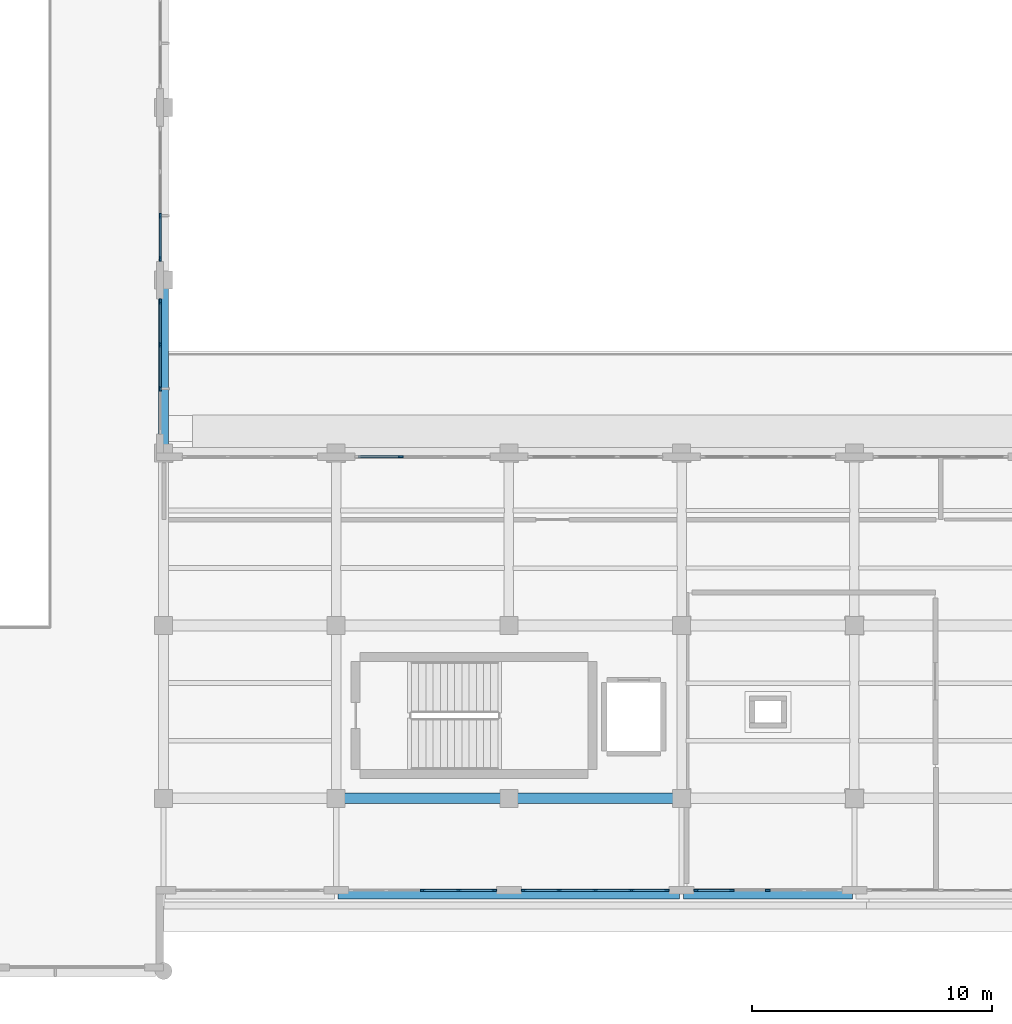
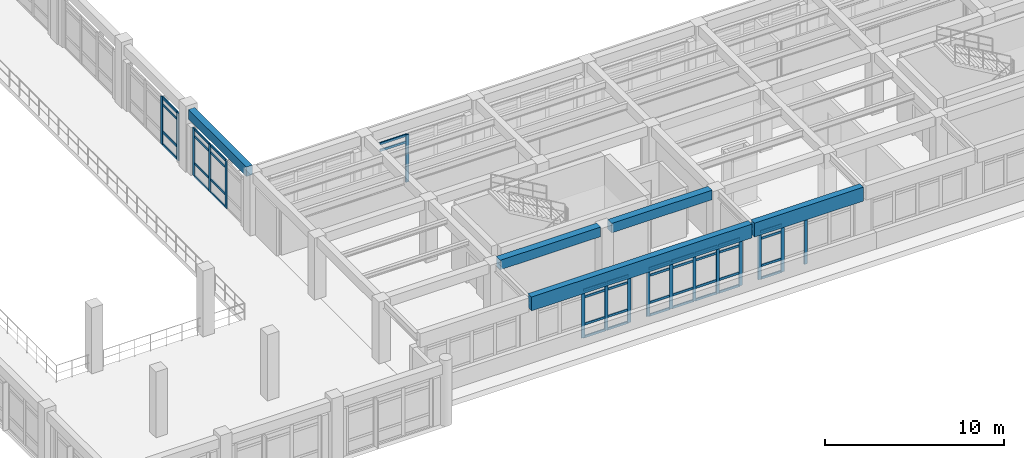
# One storey, part 5 of 64: 59 members, 5 beams, 6 elements without a shape of their own.
"""IFC4 building model written with IfcOpenShell, lengths in metres."""

from ifc_helpers import new_model, si_unit, direction, frame, origin, origin_2d, place, context, subcontext, project, spatial, rectangle, extrude, material, layer, layer_set, material_profile, profile_set, type_object, element, aggregate, save


model = new_model("IFC4")

# Units and contexts
model_context = context("Model", 3, precision=1e-05, world=origin(), true_north=direction((0.0, 1.0)))
body_context = subcontext(model_context, "Body", "Model", "MODEL_VIEW")
ifc_project = project(units=[si_unit("LENGTHUNIT", "METRE"), si_unit("AREAUNIT", "SQUARE_METRE"), si_unit("VOLUMEUNIT", "CUBIC_METRE"), si_unit("PLANEANGLEUNIT", "RADIAN"), si_unit("MASSUNIT", "GRAM", prefix="KILO")], contexts=[model_context])

# Site, building, storey
site_placement = place(None, origin())
site = spatial("IfcSite", under=ifc_project, at=site_placement, CompositionType="ELEMENT")
building_placement = place(site_placement, origin())
building = spatial("IfcBuilding", under=site, at=building_placement, Name="Solenvale Faculty of Natural Sciences", CompositionType="ELEMENT")
storey_placement = place(building_placement, frame((0.0, 0.0, 18.0)))
storey = spatial("IfcBuildingStorey", under=building, at=storey_placement, Name="L04", CompositionType="ELEMENT", Elevation=18.0)

# Beams
ifc_material_1 = material(Name="Concrete 40 MPa", Category="concrete")
ifc_material_profile_1 = material_profile(ifc_material_1, rectangle(XDim=0.39990234375, YDim=0.64990234375, at=origin_2d()), Name="RC-BM-400x650")
ifc_profile_set_1 = profile_set([ifc_material_profile_1], Name="Concrete 40 MPa")
beam_type_1 = type_object("IfcBeamType", Name="BM-RC-400x650", PredefinedType="BEAM", material=ifc_profile_set_1)
beam_1_placement = place(storey_placement, frame((57.60009765625, 36.35498046875, 3.89501953125), z_axis=(0.0, 1.0, 0.0), x_axis=(-1.0, 0.0, 0.0)))
element("IfcBeam", 1, at=beam_1_placement, inside=storey, type_object=beam_type_1, Name="L04 Y-Girder X57.6 (36.0..43.2)", PredefinedType="BEAM", context=body_context, shape_type="SweptSolid", body=[
    extrude(rectangle(XDim=0.39990234375, YDim=0.64990234375, at=origin_2d()), origin(), (0.0, 0.0, 1.0), 6.489990234375),
])
ifc_material_profile_2 = material_profile(ifc_material_1, rectangle(XDim=0.449951171875, YDim=0.64990234375, at=origin_2d()), Name="RC-BM-450x650")
ifc_profile_set_2 = profile_set([ifc_material_profile_2], Name="Concrete 40 MPa")
beam_type_2 = type_object("IfcBeamType", Name="BM-RC-450x650", PredefinedType="BEAM", material=ifc_profile_set_2)
for number, where, z_axis, x_axis, name in (
    (2, (65.155029296875, 21.60009765625, 3.89501953125), (1.0, 0.0, 0.0), (0.0, 1.0, 0.0), "L04 X-Girder Y21.6 (64.8..72.0)"),
    (3, (72.35498046875, 21.60009765625, 3.89501953125), (1.0, 0.0, 0.0), (0.0, 1.0, 0.0), "L04 X-Girder Y21.6 (72.0..79.2)"),
):
    element("IfcBeam", number, at=place(storey_placement, frame(where, z_axis=z_axis, x_axis=x_axis)), inside=storey, type_object=beam_type_2, Name=name, PredefinedType="BEAM", context=body_context, shape_type="SweptSolid", body=[
        extrude(rectangle(XDim=0.449951171875, YDim=0.64990234375, at=origin_2d()), origin(), (0.0, 0.0, 1.0), 6.489990234375),
    ])
ifc_material_2 = material(Name="Architectural bronze concrete 40 MPa", Category="concrete")
ifc_material_profile_3 = material_profile(ifc_material_2, rectangle(XDim=0.39990234375, YDim=0.949951171875, at=origin_2d()), Name="RC-SPN-400x950")
ifc_profile_set_3 = profile_set([ifc_material_profile_3], Name="Architectural bronze concrete 40 MPa")
beam_type_3 = type_object("IfcBeamType", Name="BM-SPN-BRZ-950", PredefinedType="SPANDREL", material=ifc_profile_set_3)
beam_2_placement = place(storey_placement, frame((64.8798828125, 17.60009765625, 3.7451171875), z_axis=(1.0, 0.0, 0.0), x_axis=(0.0, 1.0, 0.0)))
element("IfcBeam", 4, at=beam_2_placement, inside=storey, type_object=beam_type_3, Name="L05 Sliding-Tray South Bronze Fascia 2", PredefinedType="SPANDREL", context=body_context, shape_type="SweptSolid", body=[
    extrude(rectangle(XDim=0.39990234375, YDim=0.949951171875, at=origin_2d()), origin(), (0.0, 0.0, 1.0), 14.240234375),
])
beam_3_placement = place(storey_placement, frame((79.280029296875, 17.60009765625, 3.7451171875), z_axis=(1.0, 0.0, 0.0), x_axis=(0.0, 1.0, 0.0)))
element("IfcBeam", 5, at=beam_3_placement, inside=storey, type_object=beam_type_3, Name="L05 Sliding-Tray South Bronze Fascia 3", PredefinedType="SPANDREL", context=body_context, shape_type="SweptSolid", body=[
    extrude(rectangle(XDim=0.39990234375, YDim=0.949951171875, at=origin_2d()), origin(), (0.0, 0.0, 1.0), 7.0400390625),
])

# Curtain wall, members
ifc_material_3 = material(Name="Anodised bronze aluminium", Category="aluminium")
ifc_layer_1 = layer(ifc_material_3, 0.215087890625)
ifc_layer_set_1 = layer_set([ifc_layer_1], Name="Anodised bronze aluminium")
curtain_wall_type_1 = type_object("IfcCurtainWallType", Name="CW-ATR-UNIT", PredefinedType="USERDEFINED", material=ifc_layer_set_1)
curtain_wall_1_placement = place(storey_placement, origin())
curtain_wall_1 = element("IfcCurtainWall", 6, at=curtain_wall_1_placement, inside=storey, type_object=curtain_wall_type_1, Name="L04 Curtain Wall CW-L04-P1-E1-B1", ObjectType="UNITISED CURTAIN WALL", PredefinedType="USERDEFINED")
ifc_material_profile_4 = material_profile(ifc_material_3, rectangle(XDim=0.074951171875, YDim=0.2099609375, at=origin_2d()), Name="ALU-MUL-75x210")
ifc_profile_set_4 = profile_set([ifc_material_profile_4], Name="Anodised bronze aluminium")
member_type_1 = type_object("IfcMemberType", Name="CWM-ALU-75x210", PredefinedType="MULLION", material=ifc_profile_set_4)
member_1_placement = place(storey_placement, frame((57.45751953125, 38.683349609375, 0.0), z_axis=(0.0, 0.0, 1.0), x_axis=(-1.0, 0.0, 0.0)))
member_1 = element("IfcMember", 7, at=member_1_placement, type_object=member_type_1, Name="CW-01 mullion 2", PredefinedType="MULLION", context=body_context, shape_type="SweptSolid", body=[
    extrude(rectangle(XDim=0.074951171875, YDim=0.2099609375, at=origin_2d()), origin(), (0.0, 0.0, 1.0), 3.260009765625),
])
member_2_placement = place(storey_placement, frame((57.45751953125, 40.5166015625, 0.0), z_axis=(0.0, 0.0, 1.0), x_axis=(-1.0, 0.0, 0.0)))
member_2 = element("IfcMember", 8, at=member_2_placement, type_object=member_type_1, Name="CW-01 mullion 3", PredefinedType="MULLION", context=body_context, shape_type="SweptSolid", body=[
    extrude(rectangle(XDim=0.074951171875, YDim=0.2099609375, at=origin_2d()), origin(), (0.0, 0.0, 1.0), 3.260009765625),
])
member_3_placement = place(storey_placement, frame((57.45751953125, 42.3125, 0.0), z_axis=(0.0, 0.0, 1.0), x_axis=(-1.0, 0.0, 0.0)))
member_3 = element("IfcMember", 9, at=member_3_placement, type_object=member_type_1, Name="CW-01 mullion 4", PredefinedType="MULLION", context=body_context, shape_type="SweptSolid", body=[
    extrude(rectangle(XDim=0.074951171875, YDim=0.2099609375, at=origin_2d()), origin(), (0.0, 0.0, 1.0), 3.260009765625),
])

curtain_wall_2_placement = place(storey_placement, origin())
curtain_wall_2 = element("IfcCurtainWall", 10, at=curtain_wall_2_placement, inside=storey, type_object=curtain_wall_type_1, Name="L04 Curtain Wall CW-L04-P1-E1-B2", ObjectType="UNITISED CURTAIN WALL", PredefinedType="USERDEFINED")
member_4_placement = place(storey_placement, frame((57.45751953125, 44.08740234375, 0.0), z_axis=(0.0, 0.0, 1.0), x_axis=(-1.0, 0.0, 0.0)))
member_4 = element("IfcMember", 11, at=member_4_placement, type_object=member_type_1, Name="CW-01 mullion 1", PredefinedType="MULLION", context=body_context, shape_type="SweptSolid", body=[
    extrude(rectangle(XDim=0.074951171875, YDim=0.2099609375, at=origin_2d()), origin(), (0.0, 0.0, 1.0), 3.260009765625),
])
member_5_placement = place(storey_placement, frame((57.45751953125, 45.88330078125, 0.0), z_axis=(0.0, 0.0, 1.0), x_axis=(-1.0, 0.0, 0.0)))
member_5 = element("IfcMember", 12, at=member_5_placement, type_object=member_type_1, Name="CW-01 mullion 2", PredefinedType="MULLION", context=body_context, shape_type="SweptSolid", body=[
    extrude(rectangle(XDim=0.074951171875, YDim=0.2099609375, at=origin_2d()), origin(), (0.0, 0.0, 1.0), 3.260009765625),
])

ifc_layer_2 = layer(ifc_material_3, 0.18994140625)
ifc_layer_set_2 = layer_set([ifc_layer_2], Name="Anodised bronze aluminium")
curtain_wall_type_2 = type_object("IfcCurtainWallType", Name="CW-TRAY-REC", PredefinedType="USERDEFINED", material=ifc_layer_set_2)
curtain_wall_3_placement = place(storey_placement, origin())
curtain_wall_3 = element("IfcCurtainWall", 13, at=curtain_wall_3_placement, inside=storey, type_object=curtain_wall_type_2, Name="L04 Curtain Wall CW-L04-P1-E6-B2", ObjectType="UNITISED CURTAIN WALL", PredefinedType="USERDEFINED")
member_6_placement = place(storey_placement, frame((68.39990234375, 17.762451171875, 0.0), z_axis=(0.0, 0.0, 1.0), x_axis=(0.0, 1.0, 0.0)))
member_6 = element("IfcMember", 14, at=member_6_placement, type_object=member_type_1, Name="CW-02 mullion 3", PredefinedType="MULLION", context=body_context, shape_type="SweptSolid", body=[
    extrude(rectangle(XDim=0.074951171875, YDim=0.2099609375, at=origin_2d()), origin(), (0.0, 0.0, 1.0), 3.260009765625),
])
member_7_placement = place(storey_placement, frame((69.909912109375, 17.762451171875, 0.0), z_axis=(0.0, 0.0, 1.0), x_axis=(0.0, 1.0, 0.0)))
member_7 = element("IfcMember", 15, at=member_7_placement, type_object=member_type_1, Name="CW-02 mullion 4", PredefinedType="MULLION", context=body_context, shape_type="SweptSolid", body=[
    extrude(rectangle(XDim=0.074951171875, YDim=0.2099609375, at=origin_2d()), origin(), (0.0, 0.0, 1.0), 3.260009765625),
])
member_8_placement = place(storey_placement, frame((71.382568359375, 17.762451171875, 0.0), z_axis=(0.0, 0.0, 1.0), x_axis=(0.0, 1.0, 0.0)))
member_8 = element("IfcMember", 16, at=member_8_placement, type_object=member_type_1, Name="CW-02 mullion 5", PredefinedType="MULLION", context=body_context, shape_type="SweptSolid", body=[
    extrude(rectangle(XDim=0.074951171875, YDim=0.2099609375, at=origin_2d()), origin(), (0.0, 0.0, 1.0), 3.260009765625),
])

curtain_wall_4_placement = place(storey_placement, origin())
curtain_wall_4 = element("IfcCurtainWall", 17, at=curtain_wall_4_placement, inside=storey, type_object=curtain_wall_type_2, Name="L04 Curtain Wall CW-L04-P1-E6-B3", ObjectType="UNITISED CURTAIN WALL", PredefinedType="USERDEFINED")
member_9_placement = place(storey_placement, frame((72.617431640625, 17.762451171875, 0.0), z_axis=(0.0, 0.0, 1.0), x_axis=(0.0, 1.0, 0.0)))
member_9 = element("IfcMember", 18, at=member_9_placement, type_object=member_type_1, Name="CW-02 mullion 1", PredefinedType="MULLION", context=body_context, shape_type="SweptSolid", body=[
    extrude(rectangle(XDim=0.074951171875, YDim=0.2099609375, at=origin_2d()), origin(), (0.0, 0.0, 1.0), 3.260009765625),
])
member_10_placement = place(storey_placement, frame((74.090087890625, 17.762451171875, 0.0), z_axis=(0.0, 0.0, 1.0), x_axis=(0.0, 1.0, 0.0)))
member_10 = element("IfcMember", 19, at=member_10_placement, type_object=member_type_1, Name="CW-02 mullion 2", PredefinedType="MULLION", context=body_context, shape_type="SweptSolid", body=[
    extrude(rectangle(XDim=0.074951171875, YDim=0.2099609375, at=origin_2d()), origin(), (0.0, 0.0, 1.0), 3.260009765625),
])
member_11_placement = place(storey_placement, frame((75.60009765625, 17.762451171875, 0.0), z_axis=(0.0, 0.0, 1.0), x_axis=(0.0, 1.0, 0.0)))
member_11 = element("IfcMember", 20, at=member_11_placement, type_object=member_type_1, Name="CW-02 mullion 3", PredefinedType="MULLION", context=body_context, shape_type="SweptSolid", body=[
    extrude(rectangle(XDim=0.074951171875, YDim=0.2099609375, at=origin_2d()), origin(), (0.0, 0.0, 1.0), 3.260009765625),
])
member_12_placement = place(storey_placement, frame((77.110107421875, 17.762451171875, 0.0), z_axis=(0.0, 0.0, 1.0), x_axis=(0.0, 1.0, 0.0)))
member_12 = element("IfcMember", 21, at=member_12_placement, type_object=member_type_1, Name="CW-02 mullion 4", PredefinedType="MULLION", context=body_context, shape_type="SweptSolid", body=[
    extrude(rectangle(XDim=0.074951171875, YDim=0.2099609375, at=origin_2d()), origin(), (0.0, 0.0, 1.0), 3.260009765625),
])
member_13_placement = place(storey_placement, frame((78.58251953125, 17.762451171875, 0.0), z_axis=(0.0, 0.0, 1.0), x_axis=(0.0, 1.0, 0.0)))
member_13 = element("IfcMember", 22, at=member_13_placement, type_object=member_type_1, Name="CW-02 mullion 5", PredefinedType="MULLION", context=body_context, shape_type="SweptSolid", body=[
    extrude(rectangle(XDim=0.074951171875, YDim=0.2099609375, at=origin_2d()), origin(), (0.0, 0.0, 1.0), 3.260009765625),
])

curtain_wall_5_placement = place(storey_placement, origin())
curtain_wall_5 = element("IfcCurtainWall", 23, at=curtain_wall_5_placement, inside=storey, type_object=curtain_wall_type_2, Name="L04 Curtain Wall CW-L04-P1-E6-B4", ObjectType="UNITISED CURTAIN WALL", PredefinedType="USERDEFINED")
member_14_placement = place(storey_placement, frame((79.8173828125, 17.762451171875, 0.0), z_axis=(0.0, 0.0, 1.0), x_axis=(0.0, 1.0, 0.0)))
member_14 = element("IfcMember", 24, at=member_14_placement, type_object=member_type_1, Name="CW-02 mullion 1", PredefinedType="MULLION", context=body_context, shape_type="SweptSolid", body=[
    extrude(rectangle(XDim=0.074951171875, YDim=0.2099609375, at=origin_2d()), origin(), (0.0, 0.0, 1.0), 3.260009765625),
])
member_15_placement = place(storey_placement, frame((81.2900390625, 17.762451171875, 0.0), z_axis=(0.0, 0.0, 1.0), x_axis=(0.0, 1.0, 0.0)))
member_15 = element("IfcMember", 25, at=member_15_placement, type_object=member_type_1, Name="CW-02 mullion 2", PredefinedType="MULLION", context=body_context, shape_type="SweptSolid", body=[
    extrude(rectangle(XDim=0.074951171875, YDim=0.2099609375, at=origin_2d()), origin(), (0.0, 0.0, 1.0), 3.260009765625),
])
member_16_placement = place(storey_placement, frame((82.800048828125, 17.762451171875, 0.0), z_axis=(0.0, 0.0, 1.0), x_axis=(0.0, 1.0, 0.0)))
member_16 = element("IfcMember", 26, at=member_16_placement, type_object=member_type_1, Name="CW-02 mullion 3", PredefinedType="MULLION", context=body_context, shape_type="SweptSolid", body=[
    extrude(rectangle(XDim=0.074951171875, YDim=0.2099609375, at=origin_2d()), origin(), (0.0, 0.0, 1.0), 3.260009765625),
])

# Curtain wall, member
curtain_wall_6_placement = place(storey_placement, origin())
curtain_wall_6 = element("IfcCurtainWall", 27, at=curtain_wall_6_placement, inside=storey, type_object=curtain_wall_type_2, Name="L04 Curtain Wall CW-L04-P1-E8-B7", ObjectType="UNITISED CURTAIN WALL", PredefinedType="USERDEFINED")
member_17_placement = place(storey_placement, frame((67.4833984375, 35.83740234375, 0.0), z_axis=(0.0, 0.0, 1.0), x_axis=(0.0, -1.0, 0.0)))
member_17 = element("IfcMember", 28, at=member_17_placement, type_object=member_type_1, Name="CW-02 mullion 3", PredefinedType="MULLION", context=body_context, shape_type="SweptSolid", body=[
    extrude(rectangle(XDim=0.074951171875, YDim=0.2099609375, at=origin_2d()), origin(), (0.0, 0.0, 1.0), 3.260009765625),
])

# Member
ifc_material_profile_5 = material_profile(ifc_material_3, rectangle(XDim=0.074951171875, YDim=0.155029296875, at=origin_2d()), Name="ALU-TRN-75x155")
ifc_profile_set_5 = profile_set([ifc_material_profile_5], Name="Anodised bronze aluminium")
member_type_2 = type_object("IfcMemberType", Name="CWT-ALU-75x155", PredefinedType="USERDEFINED", material=ifc_profile_set_5)
member_18_placement = place(storey_placement, frame((57.45751953125, 38.720947265625, 0.03759765625), z_axis=(0.0, 1.0, 0.0), x_axis=(-1.0, 0.0, 0.0)))
member_18 = element("IfcMember", 29, at=member_18_placement, type_object=member_type_2, Name="CW-01 transom 2.1", ObjectType="TRANSOM", PredefinedType="USERDEFINED", context=body_context, shape_type="SweptSolid", body=[
    extrude(rectangle(XDim=0.074951171875, YDim=0.155029296875, at=origin_2d()), origin(), (0.0, 0.0, 1.0), 1.75830078125),
])

member_19_placement = place(storey_placement, frame((57.45751953125, 38.720947265625, 0.89990234375), z_axis=(0.0, 1.0, 0.0), x_axis=(-1.0, 0.0, 0.0)))
member_19 = element("IfcMember", 30, at=member_19_placement, type_object=member_type_2, Name="CW-01 transom 2.2", ObjectType="TRANSOM", PredefinedType="USERDEFINED", context=body_context, shape_type="SweptSolid", body=[
    extrude(rectangle(XDim=0.074951171875, YDim=0.155029296875, at=origin_2d()), origin(), (0.0, 0.0, 1.0), 1.75830078125),
])

member_20_placement = place(storey_placement, frame((57.45751953125, 38.720947265625, 2.760009765625), z_axis=(0.0, 1.0, 0.0), x_axis=(-1.0, 0.0, 0.0)))
member_20 = element("IfcMember", 31, at=member_20_placement, type_object=member_type_2, Name="CW-01 transom 2.3", ObjectType="TRANSOM", PredefinedType="USERDEFINED", context=body_context, shape_type="SweptSolid", body=[
    extrude(rectangle(XDim=0.074951171875, YDim=0.155029296875, at=origin_2d()), origin(), (0.0, 0.0, 1.0), 1.75830078125),
])

member_21_placement = place(storey_placement, frame((57.45751953125, 38.720947265625, 3.222412109375), z_axis=(0.0, 1.0, 0.0), x_axis=(-1.0, 0.0, 0.0)))
member_21 = element("IfcMember", 32, at=member_21_placement, type_object=member_type_2, Name="CW-01 transom 2.4", ObjectType="TRANSOM", PredefinedType="USERDEFINED", context=body_context, shape_type="SweptSolid", body=[
    extrude(rectangle(XDim=0.074951171875, YDim=0.155029296875, at=origin_2d()), origin(), (0.0, 0.0, 1.0), 1.75830078125),
])

member_22_placement = place(storey_placement, frame((57.45751953125, 40.55419921875, 0.03759765625), z_axis=(0.0, 1.0, 0.0), x_axis=(-1.0, 0.0, 0.0)))
member_22 = element("IfcMember", 33, at=member_22_placement, type_object=member_type_2, Name="CW-01 transom 3.1", ObjectType="TRANSOM", PredefinedType="USERDEFINED", context=body_context, shape_type="SweptSolid", body=[
    extrude(rectangle(XDim=0.074951171875, YDim=0.155029296875, at=origin_2d()), origin(), (0.0, 0.0, 1.0), 1.720703125),
])

member_23_placement = place(storey_placement, frame((57.45751953125, 40.55419921875, 0.89990234375), z_axis=(0.0, 1.0, 0.0), x_axis=(-1.0, 0.0, 0.0)))
member_23 = element("IfcMember", 34, at=member_23_placement, type_object=member_type_2, Name="CW-01 transom 3.2", ObjectType="TRANSOM", PredefinedType="USERDEFINED", context=body_context, shape_type="SweptSolid", body=[
    extrude(rectangle(XDim=0.074951171875, YDim=0.155029296875, at=origin_2d()), origin(), (0.0, 0.0, 1.0), 1.720703125),
])

member_24_placement = place(storey_placement, frame((57.45751953125, 40.55419921875, 2.760009765625), z_axis=(0.0, 1.0, 0.0), x_axis=(-1.0, 0.0, 0.0)))
member_24 = element("IfcMember", 35, at=member_24_placement, type_object=member_type_2, Name="CW-01 transom 3.3", ObjectType="TRANSOM", PredefinedType="USERDEFINED", context=body_context, shape_type="SweptSolid", body=[
    extrude(rectangle(XDim=0.074951171875, YDim=0.155029296875, at=origin_2d()), origin(), (0.0, 0.0, 1.0), 1.720703125),
])

member_25_placement = place(storey_placement, frame((57.45751953125, 40.55419921875, 3.222412109375), z_axis=(0.0, 1.0, 0.0), x_axis=(-1.0, 0.0, 0.0)))
member_25 = element("IfcMember", 36, at=member_25_placement, type_object=member_type_2, Name="CW-01 transom 3.4", ObjectType="TRANSOM", PredefinedType="USERDEFINED", context=body_context, shape_type="SweptSolid", body=[
    extrude(rectangle(XDim=0.074951171875, YDim=0.155029296875, at=origin_2d()), origin(), (0.0, 0.0, 1.0), 1.720703125),
])

aggregate(curtain_wall_1, [member_1, member_2, member_3, member_18, member_19, member_20, member_21, member_22, member_23, member_24, member_25])

member_26_placement = place(storey_placement, frame((57.45751953125, 44.125, 0.03759765625), z_axis=(0.0, 1.0, 0.0), x_axis=(-1.0, 0.0, 0.0)))
member_26 = element("IfcMember", 37, at=member_26_placement, type_object=member_type_2, Name="CW-01 transom 1.1", ObjectType="TRANSOM", PredefinedType="USERDEFINED", context=body_context, shape_type="SweptSolid", body=[
    extrude(rectangle(XDim=0.074951171875, YDim=0.155029296875, at=origin_2d()), origin(), (0.0, 0.0, 1.0), 1.720947265625),
])

member_27_placement = place(storey_placement, frame((57.45751953125, 44.125, 0.89990234375), z_axis=(0.0, 1.0, 0.0), x_axis=(-1.0, 0.0, 0.0)))
member_27 = element("IfcMember", 38, at=member_27_placement, type_object=member_type_2, Name="CW-01 transom 1.2", ObjectType="TRANSOM", PredefinedType="USERDEFINED", context=body_context, shape_type="SweptSolid", body=[
    extrude(rectangle(XDim=0.074951171875, YDim=0.155029296875, at=origin_2d()), origin(), (0.0, 0.0, 1.0), 1.720947265625),
])

member_28_placement = place(storey_placement, frame((57.45751953125, 44.125, 2.760009765625), z_axis=(0.0, 1.0, 0.0), x_axis=(-1.0, 0.0, 0.0)))
member_28 = element("IfcMember", 39, at=member_28_placement, type_object=member_type_2, Name="CW-01 transom 1.3", ObjectType="TRANSOM", PredefinedType="USERDEFINED", context=body_context, shape_type="SweptSolid", body=[
    extrude(rectangle(XDim=0.074951171875, YDim=0.155029296875, at=origin_2d()), origin(), (0.0, 0.0, 1.0), 1.720947265625),
])

member_29_placement = place(storey_placement, frame((57.45751953125, 44.125, 3.222412109375), z_axis=(0.0, 1.0, 0.0), x_axis=(-1.0, 0.0, 0.0)))
member_29 = element("IfcMember", 40, at=member_29_placement, type_object=member_type_2, Name="CW-01 transom 1.4", ObjectType="TRANSOM", PredefinedType="USERDEFINED", context=body_context, shape_type="SweptSolid", body=[
    extrude(rectangle(XDim=0.074951171875, YDim=0.155029296875, at=origin_2d()), origin(), (0.0, 0.0, 1.0), 1.720947265625),
])

aggregate(curtain_wall_2, [member_4, member_5, member_26, member_27, member_28, member_29])

member_30_placement = place(storey_placement, frame((68.4375, 17.762451171875, 0.03759765625), z_axis=(1.0, 0.0, 0.0), x_axis=(0.0, 1.0, 0.0)))
member_30 = element("IfcMember", 41, at=member_30_placement, type_object=member_type_2, Name="CW-02 transom 3.1", ObjectType="TRANSOM", PredefinedType="USERDEFINED", context=body_context, shape_type="SweptSolid", body=[
    extrude(rectangle(XDim=0.074951171875, YDim=0.155029296875, at=origin_2d()), origin(), (0.0, 0.0, 1.0), 1.43505859375),
])

member_31_placement = place(storey_placement, frame((68.4375, 17.762451171875, 0.89990234375), z_axis=(1.0, 0.0, 0.0), x_axis=(0.0, 1.0, 0.0)))
member_31 = element("IfcMember", 42, at=member_31_placement, type_object=member_type_2, Name="CW-02 transom 3.2", ObjectType="TRANSOM", PredefinedType="USERDEFINED", context=body_context, shape_type="SweptSolid", body=[
    extrude(rectangle(XDim=0.074951171875, YDim=0.155029296875, at=origin_2d()), origin(), (0.0, 0.0, 1.0), 1.43505859375),
])

member_32_placement = place(storey_placement, frame((68.4375, 17.762451171875, 2.760009765625), z_axis=(1.0, 0.0, 0.0), x_axis=(0.0, 1.0, 0.0)))
member_32 = element("IfcMember", 43, at=member_32_placement, type_object=member_type_2, Name="CW-02 transom 3.3", ObjectType="TRANSOM", PredefinedType="USERDEFINED", context=body_context, shape_type="SweptSolid", body=[
    extrude(rectangle(XDim=0.074951171875, YDim=0.155029296875, at=origin_2d()), origin(), (0.0, 0.0, 1.0), 1.43505859375),
])

member_33_placement = place(storey_placement, frame((68.4375, 17.762451171875, 3.222412109375), z_axis=(1.0, 0.0, 0.0), x_axis=(0.0, 1.0, 0.0)))
member_33 = element("IfcMember", 44, at=member_33_placement, type_object=member_type_2, Name="CW-02 transom 3.4", ObjectType="TRANSOM", PredefinedType="USERDEFINED", context=body_context, shape_type="SweptSolid", body=[
    extrude(rectangle(XDim=0.074951171875, YDim=0.155029296875, at=origin_2d()), origin(), (0.0, 0.0, 1.0), 1.43505859375),
])

member_34_placement = place(storey_placement, frame((69.947509765625, 17.762451171875, 0.03759765625), z_axis=(1.0, 0.0, 0.0), x_axis=(0.0, 1.0, 0.0)))
member_34 = element("IfcMember", 45, at=member_34_placement, type_object=member_type_2, Name="CW-02 transom 4.1", ObjectType="TRANSOM", PredefinedType="USERDEFINED", context=body_context, shape_type="SweptSolid", body=[
    extrude(rectangle(XDim=0.074951171875, YDim=0.155029296875, at=origin_2d()), origin(), (0.0, 0.0, 1.0), 1.3974609375),
])

member_35_placement = place(storey_placement, frame((69.947509765625, 17.762451171875, 0.89990234375), z_axis=(1.0, 0.0, 0.0), x_axis=(0.0, 1.0, 0.0)))
member_35 = element("IfcMember", 46, at=member_35_placement, type_object=member_type_2, Name="CW-02 transom 4.2", ObjectType="TRANSOM", PredefinedType="USERDEFINED", context=body_context, shape_type="SweptSolid", body=[
    extrude(rectangle(XDim=0.074951171875, YDim=0.155029296875, at=origin_2d()), origin(), (0.0, 0.0, 1.0), 1.3974609375),
])

member_36_placement = place(storey_placement, frame((69.947509765625, 17.762451171875, 2.760009765625), z_axis=(1.0, 0.0, 0.0), x_axis=(0.0, 1.0, 0.0)))
member_36 = element("IfcMember", 47, at=member_36_placement, type_object=member_type_2, Name="CW-02 transom 4.3", ObjectType="TRANSOM", PredefinedType="USERDEFINED", context=body_context, shape_type="SweptSolid", body=[
    extrude(rectangle(XDim=0.074951171875, YDim=0.155029296875, at=origin_2d()), origin(), (0.0, 0.0, 1.0), 1.3974609375),
])

member_37_placement = place(storey_placement, frame((69.947509765625, 17.762451171875, 3.222412109375), z_axis=(1.0, 0.0, 0.0), x_axis=(0.0, 1.0, 0.0)))
member_37 = element("IfcMember", 48, at=member_37_placement, type_object=member_type_2, Name="CW-02 transom 4.4", ObjectType="TRANSOM", PredefinedType="USERDEFINED", context=body_context, shape_type="SweptSolid", body=[
    extrude(rectangle(XDim=0.074951171875, YDim=0.155029296875, at=origin_2d()), origin(), (0.0, 0.0, 1.0), 1.3974609375),
])

aggregate(curtain_wall_3, [member_6, member_7, member_8, member_30, member_31, member_32, member_33, member_34, member_35, member_36, member_37])

member_38_placement = place(storey_placement, frame((72.655029296875, 17.762451171875, 0.03759765625), z_axis=(1.0, 0.0, 0.0), x_axis=(0.0, 1.0, 0.0)))
member_38 = element("IfcMember", 49, at=member_38_placement, type_object=member_type_2, Name="CW-02 transom 1.1", ObjectType="TRANSOM", PredefinedType="USERDEFINED", context=body_context, shape_type="SweptSolid", body=[
    extrude(rectangle(XDim=0.074951171875, YDim=0.155029296875, at=origin_2d()), origin(), (0.0, 0.0, 1.0), 1.3974609375),
])

member_39_placement = place(storey_placement, frame((72.655029296875, 17.762451171875, 0.89990234375), z_axis=(1.0, 0.0, 0.0), x_axis=(0.0, 1.0, 0.0)))
member_39 = element("IfcMember", 50, at=member_39_placement, type_object=member_type_2, Name="CW-02 transom 1.2", ObjectType="TRANSOM", PredefinedType="USERDEFINED", context=body_context, shape_type="SweptSolid", body=[
    extrude(rectangle(XDim=0.074951171875, YDim=0.155029296875, at=origin_2d()), origin(), (0.0, 0.0, 1.0), 1.3974609375),
])

member_40_placement = place(storey_placement, frame((72.655029296875, 17.762451171875, 2.760009765625), z_axis=(1.0, 0.0, 0.0), x_axis=(0.0, 1.0, 0.0)))
member_40 = element("IfcMember", 51, at=member_40_placement, type_object=member_type_2, Name="CW-02 transom 1.3", ObjectType="TRANSOM", PredefinedType="USERDEFINED", context=body_context, shape_type="SweptSolid", body=[
    extrude(rectangle(XDim=0.074951171875, YDim=0.155029296875, at=origin_2d()), origin(), (0.0, 0.0, 1.0), 1.3974609375),
])

member_41_placement = place(storey_placement, frame((72.655029296875, 17.762451171875, 3.222412109375), z_axis=(1.0, 0.0, 0.0), x_axis=(0.0, 1.0, 0.0)))
member_41 = element("IfcMember", 52, at=member_41_placement, type_object=member_type_2, Name="CW-02 transom 1.4", ObjectType="TRANSOM", PredefinedType="USERDEFINED", context=body_context, shape_type="SweptSolid", body=[
    extrude(rectangle(XDim=0.074951171875, YDim=0.155029296875, at=origin_2d()), origin(), (0.0, 0.0, 1.0), 1.3974609375),
])

member_42_placement = place(storey_placement, frame((74.12744140625, 17.762451171875, 0.03759765625), z_axis=(1.0, 0.0, 0.0), x_axis=(0.0, 1.0, 0.0)))
member_42 = element("IfcMember", 53, at=member_42_placement, type_object=member_type_2, Name="CW-02 transom 2.1", ObjectType="TRANSOM", PredefinedType="USERDEFINED", context=body_context, shape_type="SweptSolid", body=[
    extrude(rectangle(XDim=0.074951171875, YDim=0.155029296875, at=origin_2d()), origin(), (0.0, 0.0, 1.0), 1.43505859375),
])

member_43_placement = place(storey_placement, frame((74.12744140625, 17.762451171875, 0.89990234375), z_axis=(1.0, 0.0, 0.0), x_axis=(0.0, 1.0, 0.0)))
member_43 = element("IfcMember", 54, at=member_43_placement, type_object=member_type_2, Name="CW-02 transom 2.2", ObjectType="TRANSOM", PredefinedType="USERDEFINED", context=body_context, shape_type="SweptSolid", body=[
    extrude(rectangle(XDim=0.074951171875, YDim=0.155029296875, at=origin_2d()), origin(), (0.0, 0.0, 1.0), 1.43505859375),
])

member_44_placement = place(storey_placement, frame((74.12744140625, 17.762451171875, 2.760009765625), z_axis=(1.0, 0.0, 0.0), x_axis=(0.0, 1.0, 0.0)))
member_44 = element("IfcMember", 55, at=member_44_placement, type_object=member_type_2, Name="CW-02 transom 2.3", ObjectType="TRANSOM", PredefinedType="USERDEFINED", context=body_context, shape_type="SweptSolid", body=[
    extrude(rectangle(XDim=0.074951171875, YDim=0.155029296875, at=origin_2d()), origin(), (0.0, 0.0, 1.0), 1.43505859375),
])

member_45_placement = place(storey_placement, frame((74.12744140625, 17.762451171875, 3.222412109375), z_axis=(1.0, 0.0, 0.0), x_axis=(0.0, 1.0, 0.0)))
member_45 = element("IfcMember", 56, at=member_45_placement, type_object=member_type_2, Name="CW-02 transom 2.4", ObjectType="TRANSOM", PredefinedType="USERDEFINED", context=body_context, shape_type="SweptSolid", body=[
    extrude(rectangle(XDim=0.074951171875, YDim=0.155029296875, at=origin_2d()), origin(), (0.0, 0.0, 1.0), 1.43505859375),
])

member_46_placement = place(storey_placement, frame((75.637451171875, 17.762451171875, 0.03759765625), z_axis=(1.0, 0.0, 0.0), x_axis=(0.0, 1.0, 0.0)))
member_46 = element("IfcMember", 57, at=member_46_placement, type_object=member_type_2, Name="CW-02 transom 3.1", ObjectType="TRANSOM", PredefinedType="USERDEFINED", context=body_context, shape_type="SweptSolid", body=[
    extrude(rectangle(XDim=0.074951171875, YDim=0.155029296875, at=origin_2d()), origin(), (0.0, 0.0, 1.0), 1.43505859375),
])

member_47_placement = place(storey_placement, frame((75.637451171875, 17.762451171875, 0.89990234375), z_axis=(1.0, 0.0, 0.0), x_axis=(0.0, 1.0, 0.0)))
member_47 = element("IfcMember", 58, at=member_47_placement, type_object=member_type_2, Name="CW-02 transom 3.2", ObjectType="TRANSOM", PredefinedType="USERDEFINED", context=body_context, shape_type="SweptSolid", body=[
    extrude(rectangle(XDim=0.074951171875, YDim=0.155029296875, at=origin_2d()), origin(), (0.0, 0.0, 1.0), 1.43505859375),
])

member_48_placement = place(storey_placement, frame((75.637451171875, 17.762451171875, 2.760009765625), z_axis=(1.0, 0.0, 0.0), x_axis=(0.0, 1.0, 0.0)))
member_48 = element("IfcMember", 59, at=member_48_placement, type_object=member_type_2, Name="CW-02 transom 3.3", ObjectType="TRANSOM", PredefinedType="USERDEFINED", context=body_context, shape_type="SweptSolid", body=[
    extrude(rectangle(XDim=0.074951171875, YDim=0.155029296875, at=origin_2d()), origin(), (0.0, 0.0, 1.0), 1.43505859375),
])

member_49_placement = place(storey_placement, frame((75.637451171875, 17.762451171875, 3.222412109375), z_axis=(1.0, 0.0, 0.0), x_axis=(0.0, 1.0, 0.0)))
member_49 = element("IfcMember", 60, at=member_49_placement, type_object=member_type_2, Name="CW-02 transom 3.4", ObjectType="TRANSOM", PredefinedType="USERDEFINED", context=body_context, shape_type="SweptSolid", body=[
    extrude(rectangle(XDim=0.074951171875, YDim=0.155029296875, at=origin_2d()), origin(), (0.0, 0.0, 1.0), 1.43505859375),
])

member_50_placement = place(storey_placement, frame((77.1474609375, 17.762451171875, 0.03759765625), z_axis=(1.0, 0.0, 0.0), x_axis=(0.0, 1.0, 0.0)))
member_50 = element("IfcMember", 61, at=member_50_placement, type_object=member_type_2, Name="CW-02 transom 4.1", ObjectType="TRANSOM", PredefinedType="USERDEFINED", context=body_context, shape_type="SweptSolid", body=[
    extrude(rectangle(XDim=0.074951171875, YDim=0.155029296875, at=origin_2d()), origin(), (0.0, 0.0, 1.0), 1.3974609375),
])

member_51_placement = place(storey_placement, frame((77.1474609375, 17.762451171875, 0.89990234375), z_axis=(1.0, 0.0, 0.0), x_axis=(0.0, 1.0, 0.0)))
member_51 = element("IfcMember", 62, at=member_51_placement, type_object=member_type_2, Name="CW-02 transom 4.2", ObjectType="TRANSOM", PredefinedType="USERDEFINED", context=body_context, shape_type="SweptSolid", body=[
    extrude(rectangle(XDim=0.074951171875, YDim=0.155029296875, at=origin_2d()), origin(), (0.0, 0.0, 1.0), 1.3974609375),
])

member_52_placement = place(storey_placement, frame((77.1474609375, 17.762451171875, 2.760009765625), z_axis=(1.0, 0.0, 0.0), x_axis=(0.0, 1.0, 0.0)))
member_52 = element("IfcMember", 63, at=member_52_placement, type_object=member_type_2, Name="CW-02 transom 4.3", ObjectType="TRANSOM", PredefinedType="USERDEFINED", context=body_context, shape_type="SweptSolid", body=[
    extrude(rectangle(XDim=0.074951171875, YDim=0.155029296875, at=origin_2d()), origin(), (0.0, 0.0, 1.0), 1.3974609375),
])

member_53_placement = place(storey_placement, frame((77.1474609375, 17.762451171875, 3.222412109375), z_axis=(1.0, 0.0, 0.0), x_axis=(0.0, 1.0, 0.0)))
member_53 = element("IfcMember", 64, at=member_53_placement, type_object=member_type_2, Name="CW-02 transom 4.4", ObjectType="TRANSOM", PredefinedType="USERDEFINED", context=body_context, shape_type="SweptSolid", body=[
    extrude(rectangle(XDim=0.074951171875, YDim=0.155029296875, at=origin_2d()), origin(), (0.0, 0.0, 1.0), 1.3974609375),
])

aggregate(curtain_wall_4, [member_9, member_10, member_11, member_12, member_13, member_38, member_39, member_40, member_41, member_42, member_43, member_44, member_45, member_46, member_47, member_48, member_49, member_50, member_51, member_52, member_53])

member_54_placement = place(storey_placement, frame((79.85498046875, 17.762451171875, 0.03759765625), z_axis=(1.0, 0.0, 0.0), x_axis=(0.0, 1.0, 0.0)))
member_54 = element("IfcMember", 65, at=member_54_placement, type_object=member_type_2, Name="CW-02 transom 1.1", ObjectType="TRANSOM", PredefinedType="USERDEFINED", context=body_context, shape_type="SweptSolid", body=[
    extrude(rectangle(XDim=0.074951171875, YDim=0.155029296875, at=origin_2d()), origin(), (0.0, 0.0, 1.0), 1.3974609375),
])

member_55_placement = place(storey_placement, frame((79.85498046875, 17.762451171875, 0.89990234375), z_axis=(1.0, 0.0, 0.0), x_axis=(0.0, 1.0, 0.0)))
member_55 = element("IfcMember", 66, at=member_55_placement, type_object=member_type_2, Name="CW-02 transom 1.2", ObjectType="TRANSOM", PredefinedType="USERDEFINED", context=body_context, shape_type="SweptSolid", body=[
    extrude(rectangle(XDim=0.074951171875, YDim=0.155029296875, at=origin_2d()), origin(), (0.0, 0.0, 1.0), 1.3974609375),
])

member_56_placement = place(storey_placement, frame((79.85498046875, 17.762451171875, 2.760009765625), z_axis=(1.0, 0.0, 0.0), x_axis=(0.0, 1.0, 0.0)))
member_56 = element("IfcMember", 67, at=member_56_placement, type_object=member_type_2, Name="CW-02 transom 1.3", ObjectType="TRANSOM", PredefinedType="USERDEFINED", context=body_context, shape_type="SweptSolid", body=[
    extrude(rectangle(XDim=0.074951171875, YDim=0.155029296875, at=origin_2d()), origin(), (0.0, 0.0, 1.0), 1.3974609375),
])

member_57_placement = place(storey_placement, frame((79.85498046875, 17.762451171875, 3.222412109375), z_axis=(1.0, 0.0, 0.0), x_axis=(0.0, 1.0, 0.0)))
member_57 = element("IfcMember", 68, at=member_57_placement, type_object=member_type_2, Name="CW-02 transom 1.4", ObjectType="TRANSOM", PredefinedType="USERDEFINED", context=body_context, shape_type="SweptSolid", body=[
    extrude(rectangle(XDim=0.074951171875, YDim=0.155029296875, at=origin_2d()), origin(), (0.0, 0.0, 1.0), 1.3974609375),
])

aggregate(curtain_wall_5, [member_14, member_15, member_16, member_54, member_55, member_56, member_57])

member_58_placement = place(storey_placement, frame((67.44580078125, 35.83740234375, 2.760009765625), z_axis=(-1.0, 0.0, 0.0), x_axis=(0.0, -1.0, 0.0)))
member_58 = element("IfcMember", 69, at=member_58_placement, type_object=member_type_2, Name="CW-02 transom 3.3", ObjectType="TRANSOM", PredefinedType="USERDEFINED", context=body_context, shape_type="SweptSolid", body=[
    extrude(rectangle(XDim=0.074951171875, YDim=0.155029296875, at=origin_2d()), origin(), (0.0, 0.0, 1.0), 1.720703125),
])

member_59_placement = place(storey_placement, frame((67.44580078125, 35.83740234375, 3.222412109375), z_axis=(-1.0, 0.0, 0.0), x_axis=(0.0, -1.0, 0.0)))
member_59 = element("IfcMember", 70, at=member_59_placement, type_object=member_type_2, Name="CW-02 transom 3.4", ObjectType="TRANSOM", PredefinedType="USERDEFINED", context=body_context, shape_type="SweptSolid", body=[
    extrude(rectangle(XDim=0.074951171875, YDim=0.155029296875, at=origin_2d()), origin(), (0.0, 0.0, 1.0), 1.720703125),
])

aggregate(curtain_wall_6, [member_17, member_58, member_59])

save(model, "model.ifc")
